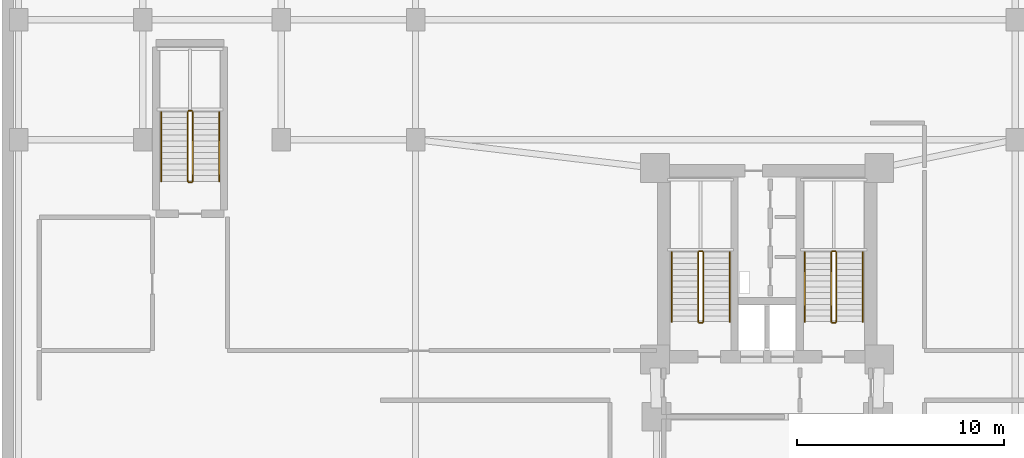
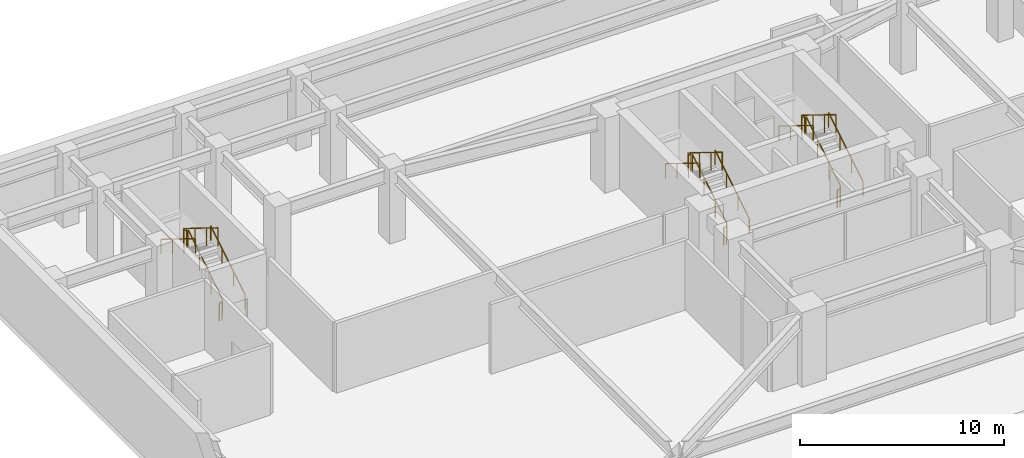
# One storey, part 8 of 8: 18 railings.
"""IFC4 building model written with IfcOpenShell, lengths in metres."""

from ifc_helpers import new_model, si_unit, direction, frame, origin, origin_2d, place, context, subcontext, project, spatial, rectangle, extrude, material, type_object, element, save


model = new_model("IFC4")

# Units and contexts
model_context = context("Model", 3, precision=1e-05, world=origin(), true_north=direction((0.0, 1.0)))
body_context = subcontext(model_context, "Body", "Model", "MODEL_VIEW")
ifc_project = project(units=[si_unit("LENGTHUNIT", "METRE"), si_unit("AREAUNIT", "SQUARE_METRE"), si_unit("VOLUMEUNIT", "CUBIC_METRE"), si_unit("PLANEANGLEUNIT", "RADIAN"), si_unit("MASSUNIT", "GRAM", prefix="KILO")], contexts=[model_context])

# Site, building, storey
site_placement = place(None, origin())
site = spatial("IfcSite", under=ifc_project, at=site_placement, CompositionType="ELEMENT")
building_placement = place(site_placement, origin())
building = spatial("IfcBuilding", under=site, at=building_placement, Name="Varnakorn Sky Granary", CompositionType="ELEMENT")
storey_placement = place(building_placement, frame((0.0, 0.0, -4.5)))
storey = spatial("IfcBuildingStorey", under=building, at=storey_placement, Name="B01", CompositionType="ELEMENT", Elevation=-4.5)

# Railings
ifc_material = material(Name="Brushed Stainless Steel 316", Category="steel")
railing_type_1 = type_object("IfcRailingType", Name="RL-STAIR-1100", PredefinedType="GUARDRAIL", material=ifc_material)
railing_1_placement = place(storey_placement, frame((-0.090087890625, 5.199951171875, 0.173095703125)))
element("IfcRailing", 1, at=railing_1_placement, inside=storey, type_object=railing_type_1, Name="B01 ST-1 stair guard 1", PredefinedType="GUARDRAIL", context=body_context, shape_type="SweptSolid", body=[
    extrude(rectangle(XDim=0.048095703125, YDim=0.048095703125, at=origin_2d()), frame((0.0, 0.0, 1.076171875), z_axis=(0.0, 0.850623216509, 0.525775754039), x_axis=(-1.0, 0.0, 0.0)), (0.0, 0.0, 1.0), 3.9501953125),
    extrude(rectangle(XDim=0.0419921875, YDim=0.0419921875, at=origin_2d()), origin(), (0.0, 0.0, 1.0), 1.048095703125),
    extrude(rectangle(XDim=0.0419921875, YDim=0.0419921875, at=origin_2d()), frame((0.0, 1.1201171875, 0.6923828125)), (0.0, 0.0, 1.0), 1.048095703125),
    extrude(rectangle(XDim=0.0419921875, YDim=0.0419921875, at=origin_2d()), frame((0.0, 2.239990234375, 1.384521484375)), (0.0, 0.0, 1.0), 1.048095703125),
    extrude(rectangle(XDim=0.0419921875, YDim=0.0419921875, at=origin_2d()), frame((0.0, 3.360107421875, 2.076904296875)), (0.0, 0.0, 1.0), 1.048095703125),
])
railing_2_placement = place(storey_placement, frame((-0.139892578125, 8.610107421875, 2.25)))
element("IfcRailing", 2, at=railing_2_placement, inside=storey, type_object=railing_type_1, Name="B01 ST-1 stair guard 2", PredefinedType="GUARDRAIL", context=body_context, shape_type="SweptSolid", body=[
    extrude(rectangle(XDim=0.048095703125, YDim=0.048095703125, at=origin_2d()), frame((0.0, 0.0, 1.076171875), z_axis=(-1.0, 0.0, 0.0), x_axis=(0.0, -1.0, 0.0)), (0.0, 0.0, 1.0), 0.150146484375),
    extrude(rectangle(XDim=0.0419921875, YDim=0.0419921875, at=origin_2d()), origin(), (0.0, 0.0, 1.0), 1.048095703125),
    extrude(rectangle(XDim=0.0419921875, YDim=0.0419921875, at=origin_2d()), frame((-0.150146484375, 0.0, 0.0)), (0.0, 0.0, 1.0), 1.048095703125),
])
railing_3_placement = place(storey_placement, frame((-0.340087890625, 8.56005859375, 2.423095703125)))
element("IfcRailing", 3, at=railing_3_placement, inside=storey, type_object=railing_type_1, Name="B01 ST-1 stair guard 3", PredefinedType="GUARDRAIL", context=body_context, shape_type="SweptSolid", body=[
    extrude(rectangle(XDim=0.048095703125, YDim=0.048095703125, at=origin_2d()), frame((0.0, 0.0, 1.076171875), z_axis=(0.0, -0.850623216509, 0.525775754039), x_axis=(1.0, 0.0, 0.0)), (0.0, 0.0, 1.0), 3.9501953125),
    extrude(rectangle(XDim=0.0419921875, YDim=0.0419921875, at=origin_2d()), origin(), (0.0, 0.0, 1.0), 1.048095703125),
    extrude(rectangle(XDim=0.0419921875, YDim=0.0419921875, at=origin_2d()), frame((0.0, -1.1201171875, 0.6923828125)), (0.0, 0.0, 1.0), 1.048095703125),
    extrude(rectangle(XDim=0.0419921875, YDim=0.0419921875, at=origin_2d()), frame((0.0, -2.239990234375, 1.384521484375)), (0.0, 0.0, 1.0), 1.048095703125),
    extrude(rectangle(XDim=0.0419921875, YDim=0.0419921875, at=origin_2d()), frame((0.0, -3.360107421875, 2.076904296875)), (0.0, 0.0, 1.0), 1.048095703125),
])
railing_4_placement = place(storey_placement, frame((-0.139892578125, 5.14990234375, 0.0)))
element("IfcRailing", 4, at=railing_4_placement, inside=storey, type_object=railing_type_1, Name="B01 ST-1 stair guard 4", PredefinedType="GUARDRAIL", context=body_context, shape_type="SweptSolid", body=[
    extrude(rectangle(XDim=0.048095703125, YDim=0.048095703125, at=origin_2d()), frame((0.0, 0.0, 1.076171875), z_axis=(-1.0, 0.0, 0.0), x_axis=(0.0, -1.0, 0.0)), (0.0, 0.0, 1.0), 0.150146484375),
    extrude(rectangle(XDim=0.0419921875, YDim=0.0419921875, at=origin_2d()), origin(), (0.0, 0.0, 1.0), 1.048095703125),
    extrude(rectangle(XDim=0.0419921875, YDim=0.0419921875, at=origin_2d()), frame((-0.150146484375, 0.0, 0.0)), (0.0, 0.0, 1.0), 1.048095703125),
])
railing_5_placement = place(storey_placement, frame((6.35009765625, 5.199951171875, 0.173095703125)))
element("IfcRailing", 5, at=railing_5_placement, inside=storey, type_object=railing_type_1, Name="B01 ST-2 stair guard 1", PredefinedType="GUARDRAIL", context=body_context, shape_type="SweptSolid", body=[
    extrude(rectangle(XDim=0.048095703125, YDim=0.048095703125, at=origin_2d()), frame((0.0, 0.0, 1.076171875), z_axis=(0.0, 0.850623216509, 0.525775754039), x_axis=(-1.0, 0.0, 0.0)), (0.0, 0.0, 1.0), 3.9501953125),
    extrude(rectangle(XDim=0.0419921875, YDim=0.0419921875, at=origin_2d()), origin(), (0.0, 0.0, 1.0), 1.048095703125),
    extrude(rectangle(XDim=0.0419921875, YDim=0.0419921875, at=origin_2d()), frame((0.0, 1.1201171875, 0.6923828125)), (0.0, 0.0, 1.0), 1.048095703125),
    extrude(rectangle(XDim=0.0419921875, YDim=0.0419921875, at=origin_2d()), frame((0.0, 2.239990234375, 1.384521484375)), (0.0, 0.0, 1.0), 1.048095703125),
    extrude(rectangle(XDim=0.0419921875, YDim=0.0419921875, at=origin_2d()), frame((0.0, 3.360107421875, 2.076904296875)), (0.0, 0.0, 1.0), 1.048095703125),
])
railing_6_placement = place(storey_placement, frame((6.300048828125, 8.610107421875, 2.25)))
element("IfcRailing", 6, at=railing_6_placement, inside=storey, type_object=railing_type_1, Name="B01 ST-2 stair guard 2", PredefinedType="GUARDRAIL", context=body_context, shape_type="SweptSolid", body=[
    extrude(rectangle(XDim=0.048095703125, YDim=0.048095703125, at=origin_2d()), frame((0.0, 0.0, 1.076171875), z_axis=(-1.0, 0.0, 0.0), x_axis=(0.0, -1.0, 0.0)), (0.0, 0.0, 1.0), 0.150146484375),
    extrude(rectangle(XDim=0.0419921875, YDim=0.0419921875, at=origin_2d()), origin(), (0.0, 0.0, 1.0), 1.048095703125),
    extrude(rectangle(XDim=0.0419921875, YDim=0.0419921875, at=origin_2d()), frame((-0.150146484375, 0.0, 0.0)), (0.0, 0.0, 1.0), 1.048095703125),
])
railing_7_placement = place(storey_placement, frame((6.10009765625, 8.56005859375, 2.423095703125)))
element("IfcRailing", 7, at=railing_7_placement, inside=storey, type_object=railing_type_1, Name="B01 ST-2 stair guard 3", PredefinedType="GUARDRAIL", context=body_context, shape_type="SweptSolid", body=[
    extrude(rectangle(XDim=0.048095703125, YDim=0.048095703125, at=origin_2d()), frame((0.0, 0.0, 1.076171875), z_axis=(0.0, -0.850623216509, 0.525775754039), x_axis=(1.0, 0.0, 0.0)), (0.0, 0.0, 1.0), 3.9501953125),
    extrude(rectangle(XDim=0.0419921875, YDim=0.0419921875, at=origin_2d()), origin(), (0.0, 0.0, 1.0), 1.048095703125),
    extrude(rectangle(XDim=0.0419921875, YDim=0.0419921875, at=origin_2d()), frame((0.0, -1.1201171875, 0.6923828125)), (0.0, 0.0, 1.0), 1.048095703125),
    extrude(rectangle(XDim=0.0419921875, YDim=0.0419921875, at=origin_2d()), frame((0.0, -2.239990234375, 1.384521484375)), (0.0, 0.0, 1.0), 1.048095703125),
    extrude(rectangle(XDim=0.0419921875, YDim=0.0419921875, at=origin_2d()), frame((0.0, -3.360107421875, 2.076904296875)), (0.0, 0.0, 1.0), 1.048095703125),
])
railing_8_placement = place(storey_placement, frame((6.300048828125, 5.14990234375, 0.0)))
element("IfcRailing", 8, at=railing_8_placement, inside=storey, type_object=railing_type_1, Name="B01 ST-2 stair guard 4", PredefinedType="GUARDRAIL", context=body_context, shape_type="SweptSolid", body=[
    extrude(rectangle(XDim=0.048095703125, YDim=0.048095703125, at=origin_2d()), frame((0.0, 0.0, 1.076171875), z_axis=(-1.0, 0.0, 0.0), x_axis=(0.0, -1.0, 0.0)), (0.0, 0.0, 1.0), 0.150146484375),
    extrude(rectangle(XDim=0.0419921875, YDim=0.0419921875, at=origin_2d()), origin(), (0.0, 0.0, 1.0), 1.048095703125),
    extrude(rectangle(XDim=0.0419921875, YDim=0.0419921875, at=origin_2d()), frame((-0.150146484375, 0.0, 0.0)), (0.0, 0.0, 1.0), 1.048095703125),
])
railing_9_placement = place(storey_placement, frame((-24.780029296875, 11.97998046875, 0.173095703125)))
element("IfcRailing", 9, at=railing_9_placement, inside=storey, type_object=railing_type_1, Name="B01 ST-B3 stair guard 1", PredefinedType="GUARDRAIL", context=body_context, shape_type="SweptSolid", body=[
    extrude(rectangle(XDim=0.048095703125, YDim=0.048095703125, at=origin_2d()), frame((0.0, 0.0, 1.076171875), z_axis=(0.0, 0.850623216509, 0.525775754039), x_axis=(-1.0, 0.0, 0.0)), (0.0, 0.0, 1.0), 3.9501953125),
    extrude(rectangle(XDim=0.0419921875, YDim=0.0419921875, at=origin_2d()), origin(), (0.0, 0.0, 1.0), 1.048095703125),
    extrude(rectangle(XDim=0.0419921875, YDim=0.0419921875, at=origin_2d()), frame((0.0, 1.1201171875, 0.6923828125)), (0.0, 0.0, 1.0), 1.048095703125),
    extrude(rectangle(XDim=0.0419921875, YDim=0.0419921875, at=origin_2d()), frame((0.0, 2.239990234375, 1.384521484375)), (0.0, 0.0, 1.0), 1.048095703125),
    extrude(rectangle(XDim=0.0419921875, YDim=0.0419921875, at=origin_2d()), frame((0.0, 3.360107421875, 2.076904296875)), (0.0, 0.0, 1.0), 1.048095703125),
])
railing_10_placement = place(storey_placement, frame((-24.830078125, 15.389892578125, 2.25)))
element("IfcRailing", 10, at=railing_10_placement, inside=storey, type_object=railing_type_1, Name="B01 ST-B3 stair guard 2", PredefinedType="GUARDRAIL", context=body_context, shape_type="SweptSolid", body=[
    extrude(rectangle(XDim=0.048095703125, YDim=0.048095703125, at=origin_2d()), frame((0.0, 0.0, 1.076171875), z_axis=(-1.0, 0.0, 0.0), x_axis=(0.0, -1.0, 0.0)), (0.0, 0.0, 1.0), 0.14990234375),
    extrude(rectangle(XDim=0.0419921875, YDim=0.0419921875, at=origin_2d()), origin(), (0.0, 0.0, 1.0), 1.048095703125),
    extrude(rectangle(XDim=0.0419921875, YDim=0.0419921875, at=origin_2d()), frame((-0.14990234375, 0.0, 0.0)), (0.0, 0.0, 1.0), 1.048095703125),
])
railing_11_placement = place(storey_placement, frame((-25.030029296875, 15.340087890625, 2.423095703125)))
element("IfcRailing", 11, at=railing_11_placement, inside=storey, type_object=railing_type_1, Name="B01 ST-B3 stair guard 3", PredefinedType="GUARDRAIL", context=body_context, shape_type="SweptSolid", body=[
    extrude(rectangle(XDim=0.048095703125, YDim=0.048095703125, at=origin_2d()), frame((0.0, 0.0, 1.076171875), z_axis=(0.0, -0.850623216509, 0.525775754039), x_axis=(1.0, 0.0, 0.0)), (0.0, 0.0, 1.0), 3.9501953125),
    extrude(rectangle(XDim=0.0419921875, YDim=0.0419921875, at=origin_2d()), origin(), (0.0, 0.0, 1.0), 1.048095703125),
    extrude(rectangle(XDim=0.0419921875, YDim=0.0419921875, at=origin_2d()), frame((0.0, -1.1201171875, 0.6923828125)), (0.0, 0.0, 1.0), 1.048095703125),
    extrude(rectangle(XDim=0.0419921875, YDim=0.0419921875, at=origin_2d()), frame((0.0, -2.239990234375, 1.384521484375)), (0.0, 0.0, 1.0), 1.048095703125),
    extrude(rectangle(XDim=0.0419921875, YDim=0.0419921875, at=origin_2d()), frame((0.0, -3.360107421875, 2.076904296875)), (0.0, 0.0, 1.0), 1.048095703125),
])
railing_12_placement = place(storey_placement, frame((-24.830078125, 11.929931640625, 0.0)))
element("IfcRailing", 12, at=railing_12_placement, inside=storey, type_object=railing_type_1, Name="B01 ST-B3 stair guard 4", PredefinedType="GUARDRAIL", context=body_context, shape_type="SweptSolid", body=[
    extrude(rectangle(XDim=0.048095703125, YDim=0.048095703125, at=origin_2d()), frame((0.0, 0.0, 1.076171875), z_axis=(-1.0, 0.0, 0.0), x_axis=(0.0, -1.0, 0.0)), (0.0, 0.0, 1.0), 0.14990234375),
    extrude(rectangle(XDim=0.0419921875, YDim=0.0419921875, at=origin_2d()), origin(), (0.0, 0.0, 1.0), 1.048095703125),
    extrude(rectangle(XDim=0.0419921875, YDim=0.0419921875, at=origin_2d()), frame((-0.14990234375, 0.0, 0.0)), (0.0, 0.0, 1.0), 1.048095703125),
])
railing_type_2 = type_object("IfcRailingType", Name="RL-STAIR-920", PredefinedType="HANDRAIL", material=ifc_material)
railing_13_placement = place(storey_placement, frame((1.18994140625, 5.199951171875, 0.173095703125)))
element("IfcRailing", 13, at=railing_13_placement, inside=storey, type_object=railing_type_2, Name="B01 ST-1 stair handrail 1", PredefinedType="HANDRAIL", context=body_context, shape_type="SweptSolid", body=[
    extrude(rectangle(XDim=0.048095703125, YDim=0.048095703125, at=origin_2d()), frame((0.0, 0.0, 0.8759765625), z_axis=(0.0, 0.850623216509, 0.525775754039), x_axis=(-1.0, 0.0, 0.0)), (0.0, 0.0, 1.0), 3.9501953125),
    extrude(rectangle(XDim=0.0419921875, YDim=0.0419921875, at=origin_2d()), origin(), (0.0, 0.0, 1.0), 0.847900390625),
    extrude(rectangle(XDim=0.0419921875, YDim=0.0419921875, at=origin_2d()), frame((0.0, 1.1201171875, 0.6923828125)), (0.0, 0.0, 1.0), 0.847900390625),
    extrude(rectangle(XDim=0.0419921875, YDim=0.0419921875, at=origin_2d()), frame((0.0, 2.239990234375, 1.384521484375)), (0.0, 0.0, 1.0), 0.847900390625),
    extrude(rectangle(XDim=0.0419921875, YDim=0.0419921875, at=origin_2d()), frame((0.0, 3.360107421875, 2.076904296875)), (0.0, 0.0, 1.0), 0.847900390625),
])
railing_14_placement = place(storey_placement, frame((-1.6201171875, 8.56005859375, 2.423095703125)))
element("IfcRailing", 14, at=railing_14_placement, inside=storey, type_object=railing_type_2, Name="B01 ST-1 stair handrail 2", PredefinedType="HANDRAIL", context=body_context, shape_type="SweptSolid", body=[
    extrude(rectangle(XDim=0.048095703125, YDim=0.048095703125, at=origin_2d()), frame((0.0, 0.0, 0.8759765625), z_axis=(0.0, -0.850623216509, 0.525775754039), x_axis=(1.0, 0.0, 0.0)), (0.0, 0.0, 1.0), 3.9501953125),
    extrude(rectangle(XDim=0.0419921875, YDim=0.0419921875, at=origin_2d()), origin(), (0.0, 0.0, 1.0), 0.847900390625),
    extrude(rectangle(XDim=0.0419921875, YDim=0.0419921875, at=origin_2d()), frame((0.0, -1.1201171875, 0.6923828125)), (0.0, 0.0, 1.0), 0.847900390625),
    extrude(rectangle(XDim=0.0419921875, YDim=0.0419921875, at=origin_2d()), frame((0.0, -2.239990234375, 1.384521484375)), (0.0, 0.0, 1.0), 0.847900390625),
    extrude(rectangle(XDim=0.0419921875, YDim=0.0419921875, at=origin_2d()), frame((0.0, -3.360107421875, 2.076904296875)), (0.0, 0.0, 1.0), 0.847900390625),
])
railing_15_placement = place(storey_placement, frame((7.6298828125, 5.199951171875, 0.173095703125)))
element("IfcRailing", 15, at=railing_15_placement, inside=storey, type_object=railing_type_2, Name="B01 ST-2 stair handrail 1", PredefinedType="HANDRAIL", context=body_context, shape_type="SweptSolid", body=[
    extrude(rectangle(XDim=0.048095703125, YDim=0.048095703125, at=origin_2d()), frame((0.0, 0.0, 0.8759765625), z_axis=(0.0, 0.850623216509, 0.525775754039), x_axis=(-1.0, 0.0, 0.0)), (0.0, 0.0, 1.0), 3.9501953125),
    extrude(rectangle(XDim=0.0419921875, YDim=0.0419921875, at=origin_2d()), origin(), (0.0, 0.0, 1.0), 0.847900390625),
    extrude(rectangle(XDim=0.0419921875, YDim=0.0419921875, at=origin_2d()), frame((0.0, 1.1201171875, 0.6923828125)), (0.0, 0.0, 1.0), 0.847900390625),
    extrude(rectangle(XDim=0.0419921875, YDim=0.0419921875, at=origin_2d()), frame((0.0, 2.239990234375, 1.384521484375)), (0.0, 0.0, 1.0), 0.847900390625),
    extrude(rectangle(XDim=0.0419921875, YDim=0.0419921875, at=origin_2d()), frame((0.0, 3.360107421875, 2.076904296875)), (0.0, 0.0, 1.0), 0.847900390625),
])
railing_16_placement = place(storey_placement, frame((4.820068359375, 8.56005859375, 2.423095703125)))
element("IfcRailing", 16, at=railing_16_placement, inside=storey, type_object=railing_type_2, Name="B01 ST-2 stair handrail 2", PredefinedType="HANDRAIL", context=body_context, shape_type="SweptSolid", body=[
    extrude(rectangle(XDim=0.048095703125, YDim=0.048095703125, at=origin_2d()), frame((0.0, 0.0, 0.8759765625), z_axis=(0.0, -0.850623216509, 0.525775754039), x_axis=(1.0, 0.0, 0.0)), (0.0, 0.0, 1.0), 3.9501953125),
    extrude(rectangle(XDim=0.0419921875, YDim=0.0419921875, at=origin_2d()), origin(), (0.0, 0.0, 1.0), 0.847900390625),
    extrude(rectangle(XDim=0.0419921875, YDim=0.0419921875, at=origin_2d()), frame((0.0, -1.1201171875, 0.6923828125)), (0.0, 0.0, 1.0), 0.847900390625),
    extrude(rectangle(XDim=0.0419921875, YDim=0.0419921875, at=origin_2d()), frame((0.0, -2.239990234375, 1.384521484375)), (0.0, 0.0, 1.0), 0.847900390625),
    extrude(rectangle(XDim=0.0419921875, YDim=0.0419921875, at=origin_2d()), frame((0.0, -3.360107421875, 2.076904296875)), (0.0, 0.0, 1.0), 0.847900390625),
])
railing_17_placement = place(storey_placement, frame((-23.5, 11.97998046875, 0.173095703125)))
element("IfcRailing", 17, at=railing_17_placement, inside=storey, type_object=railing_type_2, Name="B01 ST-B3 stair handrail 1", PredefinedType="HANDRAIL", context=body_context, shape_type="SweptSolid", body=[
    extrude(rectangle(XDim=0.048095703125, YDim=0.048095703125, at=origin_2d()), frame((0.0, 0.0, 0.8759765625), z_axis=(0.0, 0.850623216509, 0.525775754039), x_axis=(-1.0, 0.0, 0.0)), (0.0, 0.0, 1.0), 3.9501953125),
    extrude(rectangle(XDim=0.0419921875, YDim=0.0419921875, at=origin_2d()), origin(), (0.0, 0.0, 1.0), 0.847900390625),
    extrude(rectangle(XDim=0.0419921875, YDim=0.0419921875, at=origin_2d()), frame((0.0, 1.1201171875, 0.6923828125)), (0.0, 0.0, 1.0), 0.847900390625),
    extrude(rectangle(XDim=0.0419921875, YDim=0.0419921875, at=origin_2d()), frame((0.0, 2.239990234375, 1.384521484375)), (0.0, 0.0, 1.0), 0.847900390625),
    extrude(rectangle(XDim=0.0419921875, YDim=0.0419921875, at=origin_2d()), frame((0.0, 3.360107421875, 2.076904296875)), (0.0, 0.0, 1.0), 0.847900390625),
])
railing_18_placement = place(storey_placement, frame((-26.31005859375, 15.340087890625, 2.423095703125)))
element("IfcRailing", 18, at=railing_18_placement, inside=storey, type_object=railing_type_2, Name="B01 ST-B3 stair handrail 2", PredefinedType="HANDRAIL", context=body_context, shape_type="SweptSolid", body=[
    extrude(rectangle(XDim=0.048095703125, YDim=0.048095703125, at=origin_2d()), frame((0.0, 0.0, 0.8759765625), z_axis=(0.0, -0.850623216509, 0.525775754039), x_axis=(1.0, 0.0, 0.0)), (0.0, 0.0, 1.0), 3.9501953125),
    extrude(rectangle(XDim=0.0419921875, YDim=0.0419921875, at=origin_2d()), origin(), (0.0, 0.0, 1.0), 0.847900390625),
    extrude(rectangle(XDim=0.0419921875, YDim=0.0419921875, at=origin_2d()), frame((0.0, -1.1201171875, 0.6923828125)), (0.0, 0.0, 1.0), 0.847900390625),
    extrude(rectangle(XDim=0.0419921875, YDim=0.0419921875, at=origin_2d()), frame((0.0, -2.239990234375, 1.384521484375)), (0.0, 0.0, 1.0), 0.847900390625),
    extrude(rectangle(XDim=0.0419921875, YDim=0.0419921875, at=origin_2d()), frame((0.0, -3.360107421875, 2.076904296875)), (0.0, 0.0, 1.0), 0.847900390625),
])

save(model, "model.ifc")
